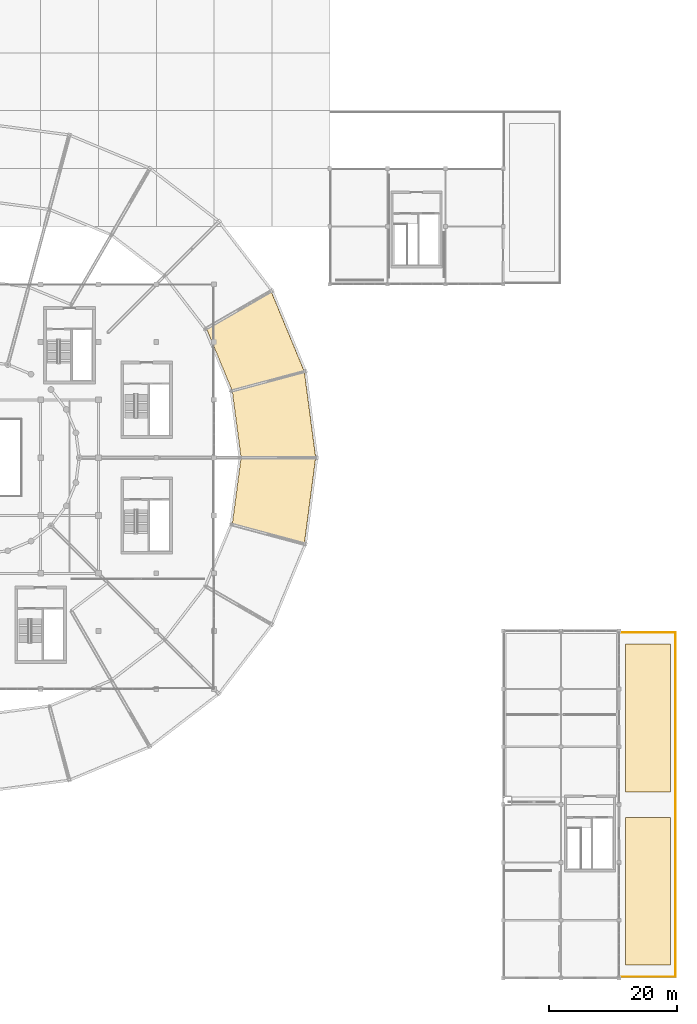
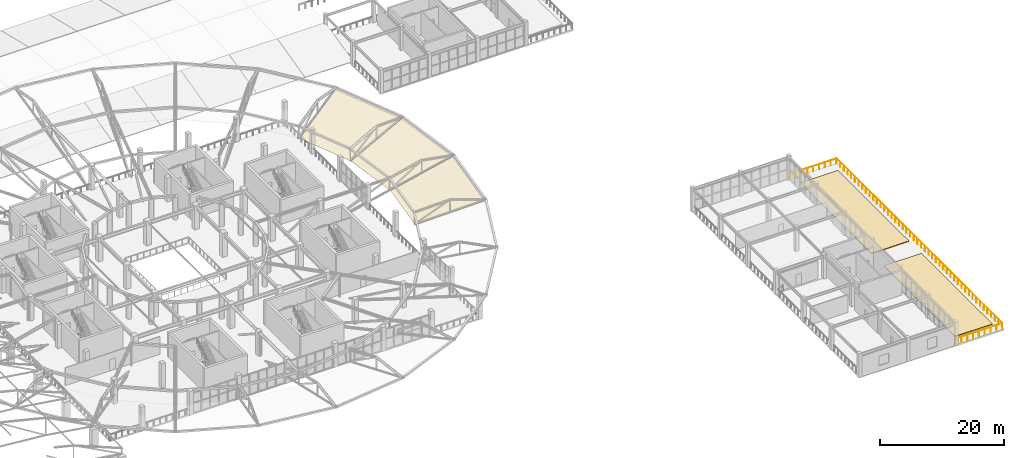
# One storey, part 164 of 167: 5 coverings, 1 railing.
"""IFC4 building model written with IfcOpenShell, lengths in metres."""

from ifc_helpers import new_model, si_unit, direction, frame, origin, origin_2d, place, context, subcontext, project, spatial, polyline, circle, outline, extrude, material, layer, layer_set, type_object, element, save


model = new_model("IFC4")

# Units and contexts
model_context = context("Model", 3, precision=1e-05, world=origin(), true_north=direction((0.0, 1.0)))
body_context = subcontext(model_context, "Body", "Model", "MODEL_VIEW")
ifc_project = project(units=[si_unit("LENGTHUNIT", "METRE"), si_unit("AREAUNIT", "SQUARE_METRE"), si_unit("VOLUMEUNIT", "CUBIC_METRE"), si_unit("PLANEANGLEUNIT", "RADIAN"), si_unit("MASSUNIT", "GRAM", prefix="KILO")], contexts=[model_context])

# Site, building, storey
site_placement = place(None, origin())
site = spatial("IfcSite", under=ifc_project, at=site_placement, CompositionType="ELEMENT")
building_placement = place(site_placement, origin())
building = spatial("IfcBuilding", under=site, at=building_placement, Name="Dornveld Trade and Exhibition Forum", CompositionType="ELEMENT")
storey_placement = place(building_placement, frame((0.0, 0.0, 16.800048828125)))
storey = spatial("IfcBuildingStorey", under=building, at=storey_placement, Name="L03", CompositionType="ELEMENT", Elevation=16.800048828125)

# Coverings
ifc_material_1 = material(Name="Planted roof-garden substrate and filter layer", Category="earth")
ifc_layer_1 = layer(ifc_material_1, 0.1201171875)
ifc_layer_set_1 = layer_set([ifc_layer_1], Name="Planted roof-garden substrate and filter layer")
covering_type_1 = type_object("IfcCoveringType", Name="COV-ROOF-PLANT", PredefinedType="ROOFING", material=ifc_layer_set_1)
covering_1_placement = place(storey_placement, origin())
element("IfcCovering", 1, at=covering_1_placement, inside=storey, type_object=covering_type_1, Name="L03 planted xeriscape roof-garden bed 4", PredefinedType="ROOFING", context=body_context, shape_type="SweptSolid", body=[
    extrude(outline(polyline([(217.0, 2.0), (224.0, 2.0), (224.0, 25.0), (217.0, 25.0), (217.0, 2.0)])), origin(), (0.0, 0.0, 1.0), 0.119873046875),
])
covering_2_placement = place(storey_placement, origin())
element("IfcCovering", 2, at=covering_2_placement, inside=storey, type_object=covering_type_1, Name="L03 planted xeriscape roof-garden bed 5", PredefinedType="ROOFING", context=body_context, shape_type="SweptSolid", body=[
    extrude(outline(polyline([(217.0, 29.0), (224.0, 29.0), (224.0, 52.0), (217.0, 52.0), (217.0, 29.0)])), origin(), (0.0, 0.0, 1.0), 0.119873046875),
])
ifc_material_2 = material(Name="Acoustic perforated aluminium soffit panel", Category="aluminium")
ifc_layer_2 = layer(ifc_material_2, 0.044921875)
ifc_layer_set_2 = layer_set([ifc_layer_2], Name="Acoustic perforated aluminium soffit panel")
covering_type_2 = type_object("IfcCoveringType", Name="COV-SOFFIT-DISC", PredefinedType="CEILING", material=ifc_layer_set_2)
covering_3_placement = place(storey_placement, frame((157.199951171875, 81.0, 1.9111328125), z_axis=(-0.221280443125, -0.029133938647, 0.97477493767), x_axis=(0.975188889038, 2.095e-09, 0.221374412922)))
element("IfcCovering", 3, at=covering_3_placement, inside=storey, type_object=covering_type_2, Name="Floating disc conical soffit panel 1", PredefinedType="CEILING", context=body_context, shape_type="SweptSolid", body=[
    extrude(outline(polyline([(0.0, 0.0), (11.89523176062862, 0.0), (10.173890072953098, 13.41243161295085), (-1.3358849529112242, 10.408959472635203), (0.0, 0.0)])), origin(), (0.0, 0.0, -1.0), 0.044921875),
])
covering_4_placement = place(storey_placement, frame((155.830078125, 91.404541015625, 1.9111328125), z_axis=(-0.206203115777, -0.085410312961, 0.974774514174), x_axis=(0.941962421802, 0.25238718951, 0.221376381949)))
element("IfcCovering", 4, at=covering_4_placement, inside=storey, type_object=covering_type_2, Name="Floating disc conical soffit panel 2", PredefinedType="CEILING", context=body_context, shape_type="SweptSolid", body=[
    extrude(outline(polyline([(0.0, 0.0), (11.895199285569515, -2.3592239273284576e-16), (10.173842295598652, 13.412482319061688), (-1.3357635300827977, 10.408974940773126), (0.0, 0.0)])), origin(), (0.0, 0.0, -1.0), 0.044921875),
])
covering_5_placement = place(storey_placement, frame((155.830078125, 70.595458984375, 1.9111328125), z_axis=(-0.221280443125, 0.029133938647, 0.97477493767), x_axis=(0.941962679743, -0.252387300846, 0.221375157464)))
element("IfcCovering", 5, at=covering_5_placement, inside=storey, type_object=covering_type_2, Name="Floating disc conical soffit panel 24", PredefinedType="CEILING", context=body_context, shape_type="SweptSolid", body=[
    extrude(outline(polyline([(0.0, 0.0), (11.895199285579976, 9.159339953157541e-16), (10.174201711338686, 13.412475771730909), (-1.335604737328647, 10.408995431644788), (0.0, 0.0)])), origin(), (0.0, 0.0, -1.0), 0.044921875),
])

# Railing
ifc_material_3 = material(Name="Dark-bronze steel and laminated glass balustrade", Category="steel")
railing_type = type_object("IfcRailingType", Name="RL-BALUST-CONC", PredefinedType="BALUSTRADE", material=ifc_material_3)
railing_placement = place(storey_placement, frame((216.10009765625, 0.199951171875, 0.0)))
element("IfcRailing", 6, at=railing_placement, inside=storey, type_object=railing_type, Name="L03 protective edge guard 5", PredefinedType="BALUSTRADE", context=body_context, shape_type="SweptSolid", body=[
    extrude(circle(Radius=0.02490234375, at=origin_2d()), frame((0.0, 0.0, 1.09521484375), z_axis=(1.0, 0.0, 0.0), x_axis=(0.0, 1.0, 0.0)), (0.0, 0.0, 1.0), 8.699951171875),
    extrude(circle(Radius=0.02490234375, at=origin_2d()), frame((8.699951171875, 0.0, 1.09521484375), z_axis=(0.0, 1.0, 0.0), x_axis=(-1.0, 0.0, 0.0)), (0.0, 0.0, 1.0), 53.60009765625),
    extrude(circle(Radius=0.02490234375, at=origin_2d()), frame((8.699951171875, 53.60009765625, 1.09521484375), z_axis=(-1.0, 0.0, 0.0), x_axis=(0.0, -1.0, 0.0)), (0.0, 0.0, 1.0), 8.699951171875),
    extrude(circle(Radius=0.02099609375, at=origin_2d()), origin(), (0.0, 0.0, 1.0), 1.070068359375),
    extrude(circle(Radius=0.02099609375, at=origin_2d()), frame((1.08740234375, 0.0, 0.0)), (0.0, 0.0, 1.0), 1.070068359375),
    extrude(circle(Radius=0.02099609375, at=origin_2d()), frame((2.175048828125, 0.0, 0.0)), (0.0, 0.0, 1.0), 1.070068359375),
    extrude(circle(Radius=0.02099609375, at=origin_2d()), frame((3.262451171875, 0.0, 0.0)), (0.0, 0.0, 1.0), 1.070068359375),
    extrude(circle(Radius=0.02099609375, at=origin_2d()), frame((4.35009765625, 0.0, 0.0)), (0.0, 0.0, 1.0), 1.070068359375),
    extrude(circle(Radius=0.02099609375, at=origin_2d()), frame((5.4375, 0.0, 0.0)), (0.0, 0.0, 1.0), 1.070068359375),
    extrude(circle(Radius=0.02099609375, at=origin_2d()), frame((6.52490234375, 0.0, 0.0)), (0.0, 0.0, 1.0), 1.070068359375),
    extrude(circle(Radius=0.02099609375, at=origin_2d()), frame((7.612548828125, 0.0, 0.0)), (0.0, 0.0, 1.0), 1.070068359375),
    extrude(circle(Radius=0.02099609375, at=origin_2d()), frame((8.699951171875, 0.0, 0.0)), (0.0, 0.0, 1.0), 1.070068359375),
    extrude(circle(Radius=0.02099609375, at=origin_2d()), frame((8.699951171875, 1.191162109375, 0.0)), (0.0, 0.0, 1.0), 1.070068359375),
    extrude(circle(Radius=0.02099609375, at=origin_2d()), frame((8.699951171875, 2.38232421875, 0.0)), (0.0, 0.0, 1.0), 1.070068359375),
    extrude(circle(Radius=0.02099609375, at=origin_2d()), frame((8.699951171875, 3.5732421875, 0.0)), (0.0, 0.0, 1.0), 1.070068359375),
    extrude(circle(Radius=0.02099609375, at=origin_2d()), frame((8.699951171875, 4.764404296875, 0.0)), (0.0, 0.0, 1.0), 1.070068359375),
    extrude(circle(Radius=0.02099609375, at=origin_2d()), frame((8.699951171875, 5.95556640625, 0.0)), (0.0, 0.0, 1.0), 1.070068359375),
    extrude(circle(Radius=0.02099609375, at=origin_2d()), frame((8.699951171875, 7.146728515625, 0.0)), (0.0, 0.0, 1.0), 1.070068359375),
    extrude(circle(Radius=0.02099609375, at=origin_2d()), frame((8.699951171875, 8.337890625, 0.0)), (0.0, 0.0, 1.0), 1.070068359375),
    extrude(circle(Radius=0.02099609375, at=origin_2d()), frame((8.699951171875, 9.52880859375, 0.0)), (0.0, 0.0, 1.0), 1.070068359375),
    extrude(circle(Radius=0.02099609375, at=origin_2d()), frame((8.699951171875, 10.719970703125, 0.0)), (0.0, 0.0, 1.0), 1.070068359375),
    extrude(circle(Radius=0.02099609375, at=origin_2d()), frame((8.699951171875, 11.9111328125, 0.0)), (0.0, 0.0, 1.0), 1.070068359375),
    extrude(circle(Radius=0.02099609375, at=origin_2d()), frame((8.699951171875, 13.102294921875, 0.0)), (0.0, 0.0, 1.0), 1.070068359375),
    extrude(circle(Radius=0.02099609375, at=origin_2d()), frame((8.699951171875, 14.29345703125, 0.0)), (0.0, 0.0, 1.0), 1.070068359375),
    extrude(circle(Radius=0.02099609375, at=origin_2d()), frame((8.699951171875, 15.484375, 0.0)), (0.0, 0.0, 1.0), 1.070068359375),
    extrude(circle(Radius=0.02099609375, at=origin_2d()), frame((8.699951171875, 16.675537109375, 0.0)), (0.0, 0.0, 1.0), 1.070068359375),
    extrude(circle(Radius=0.02099609375, at=origin_2d()), frame((8.699951171875, 17.86669921875, 0.0)), (0.0, 0.0, 1.0), 1.070068359375),
    extrude(circle(Radius=0.02099609375, at=origin_2d()), frame((8.699951171875, 19.057861328125, 0.0)), (0.0, 0.0, 1.0), 1.070068359375),
    extrude(circle(Radius=0.02099609375, at=origin_2d()), frame((8.699951171875, 20.2490234375, 0.0)), (0.0, 0.0, 1.0), 1.070068359375),
    extrude(circle(Radius=0.02099609375, at=origin_2d()), frame((8.699951171875, 21.43994140625, 0.0)), (0.0, 0.0, 1.0), 1.070068359375),
    extrude(circle(Radius=0.02099609375, at=origin_2d()), frame((8.699951171875, 22.631103515625, 0.0)), (0.0, 0.0, 1.0), 1.070068359375),
    extrude(circle(Radius=0.02099609375, at=origin_2d()), frame((8.699951171875, 23.822265625, 0.0)), (0.0, 0.0, 1.0), 1.070068359375),
    extrude(circle(Radius=0.02099609375, at=origin_2d()), frame((8.699951171875, 25.013427734375, 0.0)), (0.0, 0.0, 1.0), 1.070068359375),
    extrude(circle(Radius=0.02099609375, at=origin_2d()), frame((8.699951171875, 26.20458984375, 0.0)), (0.0, 0.0, 1.0), 1.070068359375),
    extrude(circle(Radius=0.02099609375, at=origin_2d()), frame((8.699951171875, 27.3955078125, 0.0)), (0.0, 0.0, 1.0), 1.070068359375),
    extrude(circle(Radius=0.02099609375, at=origin_2d()), frame((8.699951171875, 28.586669921875, 0.0)), (0.0, 0.0, 1.0), 1.070068359375),
    extrude(circle(Radius=0.02099609375, at=origin_2d()), frame((8.699951171875, 29.77783203125, 0.0)), (0.0, 0.0, 1.0), 1.070068359375),
    extrude(circle(Radius=0.02099609375, at=origin_2d()), frame((8.699951171875, 30.968994140625, 0.0)), (0.0, 0.0, 1.0), 1.070068359375),
    extrude(circle(Radius=0.02099609375, at=origin_2d()), frame((8.699951171875, 32.16015625, 0.0)), (0.0, 0.0, 1.0), 1.070068359375),
    extrude(circle(Radius=0.02099609375, at=origin_2d()), frame((8.699951171875, 33.35107421875, 0.0)), (0.0, 0.0, 1.0), 1.070068359375),
    extrude(circle(Radius=0.02099609375, at=origin_2d()), frame((8.699951171875, 34.542236328125, 0.0)), (0.0, 0.0, 1.0), 1.070068359375),
    extrude(circle(Radius=0.02099609375, at=origin_2d()), frame((8.699951171875, 35.7333984375, 0.0)), (0.0, 0.0, 1.0), 1.070068359375),
    extrude(circle(Radius=0.02099609375, at=origin_2d()), frame((8.699951171875, 36.924560546875, 0.0)), (0.0, 0.0, 1.0), 1.070068359375),
    extrude(circle(Radius=0.02099609375, at=origin_2d()), frame((8.699951171875, 38.11572265625, 0.0)), (0.0, 0.0, 1.0), 1.070068359375),
    extrude(circle(Radius=0.02099609375, at=origin_2d()), frame((8.699951171875, 39.306640625, 0.0)), (0.0, 0.0, 1.0), 1.070068359375),
    extrude(circle(Radius=0.02099609375, at=origin_2d()), frame((8.699951171875, 40.497802734375, 0.0)), (0.0, 0.0, 1.0), 1.070068359375),
    extrude(circle(Radius=0.02099609375, at=origin_2d()), frame((8.699951171875, 41.68896484375, 0.0)), (0.0, 0.0, 1.0), 1.070068359375),
    extrude(circle(Radius=0.02099609375, at=origin_2d()), frame((8.699951171875, 42.880126953125, 0.0)), (0.0, 0.0, 1.0), 1.070068359375),
    extrude(circle(Radius=0.02099609375, at=origin_2d()), frame((8.699951171875, 44.0712890625, 0.0)), (0.0, 0.0, 1.0), 1.070068359375),
    extrude(circle(Radius=0.02099609375, at=origin_2d()), frame((8.699951171875, 45.26220703125, 0.0)), (0.0, 0.0, 1.0), 1.070068359375),
    extrude(circle(Radius=0.02099609375, at=origin_2d()), frame((8.699951171875, 46.453369140625, 0.0)), (0.0, 0.0, 1.0), 1.070068359375),
    extrude(circle(Radius=0.02099609375, at=origin_2d()), frame((8.699951171875, 47.64453125, 0.0)), (0.0, 0.0, 1.0), 1.070068359375),
    extrude(circle(Radius=0.02099609375, at=origin_2d()), frame((8.699951171875, 48.835693359375, 0.0)), (0.0, 0.0, 1.0), 1.070068359375),
    extrude(circle(Radius=0.02099609375, at=origin_2d()), frame((8.699951171875, 50.02685546875, 0.0)), (0.0, 0.0, 1.0), 1.070068359375),
    extrude(circle(Radius=0.02099609375, at=origin_2d()), frame((8.699951171875, 51.2177734375, 0.0)), (0.0, 0.0, 1.0), 1.070068359375),
    extrude(circle(Radius=0.02099609375, at=origin_2d()), frame((8.699951171875, 52.408935546875, 0.0)), (0.0, 0.0, 1.0), 1.070068359375),
    extrude(circle(Radius=0.02099609375, at=origin_2d()), frame((8.699951171875, 53.60009765625, 0.0)), (0.0, 0.0, 1.0), 1.070068359375),
    extrude(circle(Radius=0.02099609375, at=origin_2d()), frame((7.612548828125, 53.60009765625, 0.0)), (0.0, 0.0, 1.0), 1.070068359375),
    extrude(circle(Radius=0.02099609375, at=origin_2d()), frame((6.52490234375, 53.60009765625, 0.0)), (0.0, 0.0, 1.0), 1.070068359375),
    extrude(circle(Radius=0.02099609375, at=origin_2d()), frame((5.4375, 53.60009765625, 0.0)), (0.0, 0.0, 1.0), 1.070068359375),
    extrude(circle(Radius=0.02099609375, at=origin_2d()), frame((4.35009765625, 53.60009765625, 0.0)), (0.0, 0.0, 1.0), 1.070068359375),
    extrude(circle(Radius=0.02099609375, at=origin_2d()), frame((3.262451171875, 53.60009765625, 0.0)), (0.0, 0.0, 1.0), 1.070068359375),
    extrude(circle(Radius=0.02099609375, at=origin_2d()), frame((2.175048828125, 53.60009765625, 0.0)), (0.0, 0.0, 1.0), 1.070068359375),
    extrude(circle(Radius=0.02099609375, at=origin_2d()), frame((1.08740234375, 53.60009765625, 0.0)), (0.0, 0.0, 1.0), 1.070068359375),
    extrude(circle(Radius=0.02099609375, at=origin_2d()), frame((0.0, 53.60009765625, 0.0)), (0.0, 0.0, 1.0), 1.070068359375),
])

save(model, "model.ifc")
